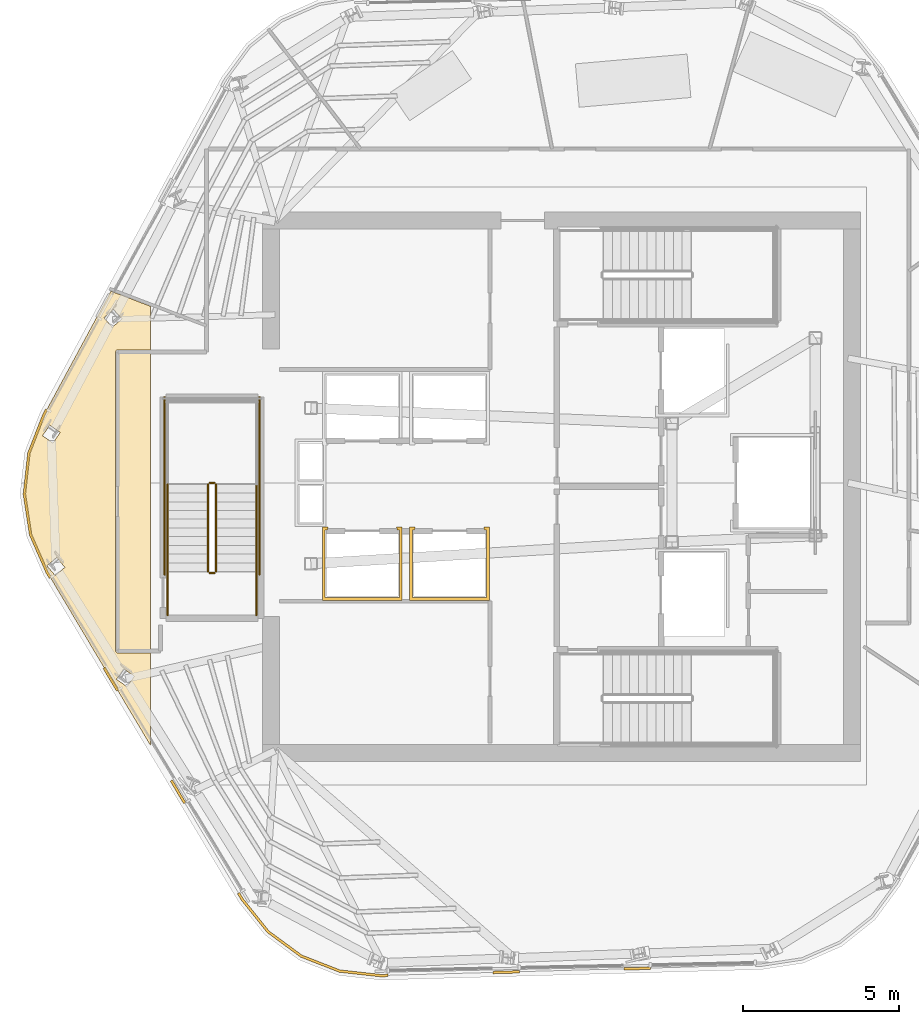
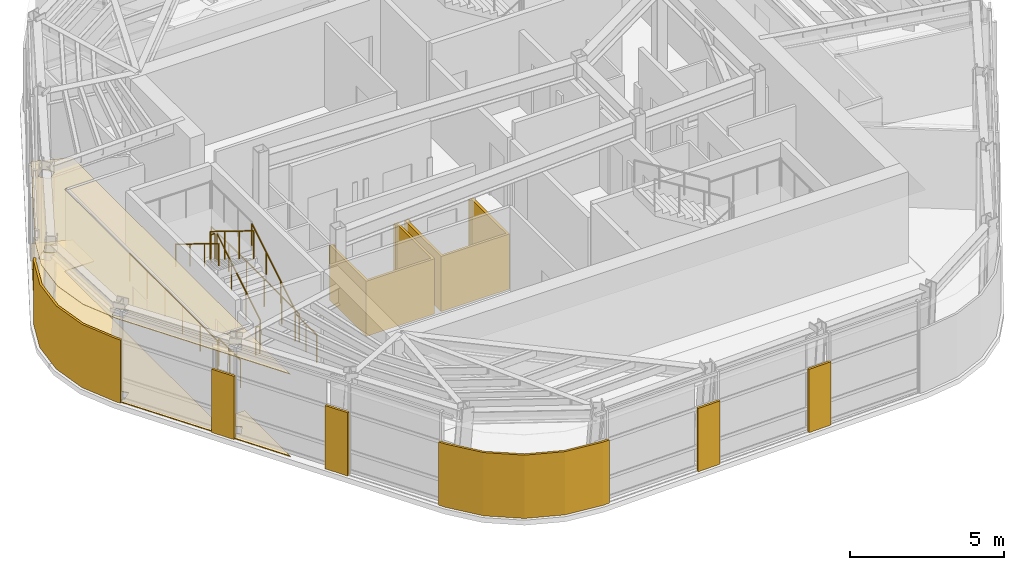
# One storey, part 9 of 13: 11 coverings, 10 railings.
"""IFC4 building model written with IfcOpenShell, lengths in metres."""

from ifc_helpers import new_model, si_unit, direction, frame, origin, origin_2d, place, context, subcontext, project, spatial, polyline, circle, outline, extrude, material, layer, layer_set, type_object, element, save


model = new_model("IFC4")

# Units and contexts
model_context = context("Model", 3, precision=1e-05, world=origin(), true_north=direction((0.0, 1.0)))
body_context = subcontext(model_context, "Body", "Model", "MODEL_VIEW")
ifc_project = project(units=[si_unit("LENGTHUNIT", "METRE"), si_unit("AREAUNIT", "SQUARE_METRE"), si_unit("VOLUMEUNIT", "CUBIC_METRE"), si_unit("PLANEANGLEUNIT", "RADIAN"), si_unit("MASSUNIT", "GRAM", prefix="KILO")], contexts=[model_context])

# Site, building, storey
site_placement = place(None, origin())
site = spatial("IfcSite", under=ifc_project, at=site_placement, CompositionType="ELEMENT")
building_placement = place(site_placement, origin())
building = spatial("IfcBuilding", under=site, at=building_placement, Name="Valkerne Bourse Tower", CompositionType="ELEMENT")
storey_placement = place(building_placement, frame((0.0, 0.0, 288.800048828125)))
storey = spatial("IfcBuildingStorey", under=building, at=storey_placement, Name="L73", CompositionType="ELEMENT", Elevation=288.800048828125)

# Coverings
ifc_material_1 = material(Name="Mineral Fiber Acoustic Ceiling Tile", Category="acoustic")
ifc_layer_1 = layer(ifc_material_1, 0.02490234375)
ifc_layer_set_1 = layer_set([ifc_layer_1], Name="Mineral Fiber Acoustic Ceiling Tile")
covering_type_1 = type_object("IfcCoveringType", Name="COV-CEIL-ACT", PredefinedType="CEILING", material=ifc_layer_set_1)
covering_1_placement = place(storey_placement, frame((0.0, 0.0, 3.25)))
element("IfcCovering", 1, at=covering_1_placement, inside=storey, type_object=covering_type_1, Name="L73 Suspended Ceiling 10", PredefinedType="CEILING", context=body_context, shape_type="SweptSolid", body=[
    extrude(outline(polyline([(30.28759765625, 24.116943359375), (29.753173828125, 25.334228515625), (29.553466796875, 26.638671875), (29.6982421875, 27.950439453125), (30.18115234375, 29.18896484375), (32.327392578125, 33.15478515625), (33.60009765625, 32.668701171875), (33.60009765625, 31.26904296875), (32.54931640625, 31.26904296875), (32.50830078125, 31.25537109375), (32.483154296875, 31.217529296875), (32.483154296875, 21.58251953125), (32.50830078125, 21.544921875), (32.546630859375, 21.531005859375), (33.60009765625, 21.531005859375), (33.60009765625, 18.56494140625), (30.28759765625, 24.116943359375)]), holes=[polyline([(33.075927734375, 20.788330078125), (32.7412109375, 21.022705078125), (32.50732421875, 20.690185546875), (32.50830078125, 20.68798828125), (32.843017578125, 20.45361328125), (33.076904296875, 20.786376953125), (33.075927734375, 20.788330078125)]), polyline([(30.84912109375, 24.287841796875), (30.58447265625, 24.599365234375), (30.274169921875, 24.3369140625), (30.2744140625, 24.33447265625), (30.538818359375, 24.02294921875), (30.849365234375, 24.285400390625), (30.84912109375, 24.287841796875)]), polyline([(30.69873046875, 28.618408203125), (30.36376953125, 28.8486328125), (30.131591796875, 28.512451171875), (30.13134765625, 28.51025390625), (30.46630859375, 28.27978515625), (30.698486328125, 28.615966796875), (30.69873046875, 28.618408203125)]), polyline([(32.682373046875, 32.262451171875), (32.416748046875, 32.5703125), (32.106689453125, 32.30419921875), (32.106201171875, 32.302001953125), (32.37158203125, 31.994140625), (32.681396484375, 32.260498046875), (32.682373046875, 32.262451171875)])]), origin(), (0.0, 0.0, 1.0), 0.02490234375),
])
ifc_material_2 = material(Name="Bronze Anodised Aluminium AA 6063-T6", Category="aluminium")
ifc_layer_2 = layer(ifc_material_2, 0.030029296875)
ifc_layer_set_2 = layer_set([ifc_layer_2], Name="Bronze Anodised Aluminium AA 6063-T6")
covering_type_2 = type_object("IfcCoveringType", Name="COV-CEIL-METAL", PredefinedType="CEILING", material=ifc_layer_set_2)
covering_2_placement = place(storey_placement, frame((0.0, 0.0, 3.25)))
element("IfcCovering", 2, at=covering_2_placement, inside=storey, type_object=covering_type_2, Name="L73 Suspended Ceiling 02", PredefinedType="CEILING", context=body_context, shape_type="SweptSolid", body=[
    extrude(outline(polyline([(32.553955078125, 21.60400390625), (32.553955078125, 31.196044921875), (33.60009765625, 31.196044921875), (33.60009765625, 21.60400390625), (32.553955078125, 21.60400390625)])), origin(), (0.0, 0.0, 1.0), 0.02490234375),
])
ifc_layer_3 = layer(ifc_material_2, 0.06005859375)
ifc_layer_set_3 = layer_set([ifc_layer_3], Name="Bronze Anodised Aluminium AA 6063-T6")
covering_type_3 = type_object("IfcCoveringType", Name="COV-CRN-ALUM", PredefinedType="CLADDING", material=ifc_layer_set_3)
covering_3_placement = place(storey_placement, origin())
element("IfcCovering", 3, at=covering_3_placement, inside=storey, type_object=covering_type_3, Name="L73 Wind-Shaped Corner Aluminium Cladding 05", PredefinedType="CLADDING", context=body_context, shape_type="SweptSolid", body=[
    extrude(outline(polyline([(48.814208984375, 11.347900390625), (48.8125, 11.427978515625), (49.652099609375, 11.451171875), (49.65380859375, 11.37109375), (48.814208984375, 11.347900390625)])), origin(), (0.0, 0.0, 1.0), 2.5),
])
covering_4_placement = place(storey_placement, origin())
element("IfcCovering", 4, at=covering_4_placement, inside=storey, type_object=covering_type_3, Name="L73 Wind-Shaped Corner Aluminium Cladding 06", PredefinedType="CLADDING", context=body_context, shape_type="SweptSolid", body=[
    extrude(outline(polyline([(44.603759765625, 11.23193359375), (44.60205078125, 11.31201171875), (45.44189453125, 11.335205078125), (45.443603515625, 11.255126953125), (44.603759765625, 11.23193359375)])), origin(), (0.0, 0.0, 1.0), 2.5),
])
covering_5_placement = place(storey_placement, origin())
element("IfcCovering", 5, at=covering_5_placement, inside=storey, type_object=covering_type_3, Name="L73 Wind-Shaped Corner Aluminium Cladding 07", PredefinedType="CLADDING", context=body_context, shape_type="SweptSolid", body=[
    extrude(outline(polyline([(40.992919921875, 11.132568359375), (39.66357421875, 11.279296875), (38.42333984375, 11.7626953125), (37.3505859375, 12.55078125), (36.51416015625, 13.594482421875), (36.39111328125, 13.80078125), (36.459716796875, 13.84228515625), (36.580078125, 13.640380859375), (37.406494140625, 12.60888671875), (38.462158203125, 11.83349609375), (39.6826171875, 11.357666015625), (40.99609375, 11.212646484375), (41.231201171875, 11.218994140625), (41.23291015625, 11.13916015625), (40.992919921875, 11.132568359375)])), origin(), (0.0, 0.0, 1.0), 2.5),
])
covering_6_placement = place(storey_placement, origin())
element("IfcCovering", 6, at=covering_6_placement, inside=storey, type_object=covering_type_3, Name="L73 Wind-Shaped Corner Aluminium Cladding 08", PredefinedType="CLADDING", context=body_context, shape_type="SweptSolid", body=[
    extrude(outline(polyline([(34.233154296875, 17.41796875), (34.301513671875, 17.45947265625), (34.73193359375, 16.738037109375), (34.66357421875, 16.69677734375), (34.233154296875, 17.41796875)])), origin(), (0.0, 0.0, 1.0), 2.5),
])
covering_7_placement = place(storey_placement, origin())
element("IfcCovering", 7, at=covering_7_placement, inside=storey, type_object=covering_type_3, Name="L73 Wind-Shaped Corner Aluminium Cladding 09", PredefinedType="CLADDING", context=body_context, shape_type="SweptSolid", body=[
    extrude(outline(polyline([(32.074951171875, 21.03515625), (32.143310546875, 21.07666015625), (32.57373046875, 20.355224609375), (32.50537109375, 20.31396484375), (32.074951171875, 21.03515625)])), origin(), (0.0, 0.0, 1.0), 2.5),
])
covering_8_placement = place(storey_placement, origin())
element("IfcCovering", 8, at=covering_8_placement, inside=storey, type_object=covering_type_3, Name="L73 Wind-Shaped Corner Aluminium Cladding 10", PredefinedType="CLADDING", context=body_context, shape_type="SweptSolid", body=[
    extrude(outline(polyline([(30.248291015625, 24.0966796875), (29.71044921875, 25.322021484375), (29.509033203125, 26.6376953125), (29.6552734375, 27.9609375), (30.14111328125, 29.20751953125), (30.23291015625, 29.377197265625), (30.302978515625, 29.338623046875), (30.2138671875, 29.173828125), (29.7333984375, 27.941650390625), (29.58984375, 26.639404296875), (29.787841796875, 25.344482421875), (30.319580078125, 24.133544921875), (30.41552734375, 23.972412109375), (30.34716796875, 23.93115234375), (30.248291015625, 24.0966796875)])), origin(), (0.0, 0.0, 1.0), 2.5),
])
ifc_material_3 = material(Name="Polished Granite Stone", Category="masonry")
ifc_layer_4 = layer(ifc_material_3, 0.030029296875)
ifc_layer_set_4 = layer_set([ifc_layer_4], Name="Polished Granite Stone")
covering_type_4 = type_object("IfcCoveringType", Name="COV-FLR-TERRAZZO", PredefinedType="FLOORING", material=ifc_layer_set_4)
covering_9_placement = place(storey_placement, origin())
element("IfcCovering", 9, at=covering_9_placement, inside=storey, type_object=covering_type_4, Name="L73 Floor Finish 10", PredefinedType="FLOORING", context=body_context, shape_type="SweptSolid", body=[
    extrude(outline(polyline([(30.28759765625, 24.116943359375), (29.753173828125, 25.334228515625), (29.553466796875, 26.638671875), (29.6982421875, 27.950439453125), (30.18115234375, 29.18896484375), (32.327392578125, 33.15478515625), (33.60009765625, 32.668701171875), (33.60009765625, 31.26904296875), (32.54931640625, 31.26904296875), (32.50830078125, 31.25537109375), (32.483154296875, 31.217529296875), (32.483154296875, 21.58251953125), (32.50830078125, 21.544921875), (32.546630859375, 21.531005859375), (33.60009765625, 21.531005859375), (33.60009765625, 18.56494140625), (30.28759765625, 24.116943359375)]), holes=[polyline([(33.075927734375, 20.788330078125), (32.7412109375, 21.022705078125), (32.50732421875, 20.690185546875), (32.50830078125, 20.68798828125), (32.843017578125, 20.45361328125), (33.076904296875, 20.786376953125), (33.075927734375, 20.788330078125)]), polyline([(30.84912109375, 24.287841796875), (30.58447265625, 24.599365234375), (30.274169921875, 24.3369140625), (30.2744140625, 24.33447265625), (30.538818359375, 24.02294921875), (30.849365234375, 24.285400390625), (30.84912109375, 24.287841796875)]), polyline([(30.69873046875, 28.618408203125), (30.36376953125, 28.8486328125), (30.131591796875, 28.512451171875), (30.13134765625, 28.51025390625), (30.46630859375, 28.27978515625), (30.698486328125, 28.615966796875), (30.69873046875, 28.618408203125)]), polyline([(32.682373046875, 32.262451171875), (32.416748046875, 32.5703125), (32.106689453125, 32.30419921875), (32.106201171875, 32.302001953125), (32.37158203125, 31.994140625), (32.681396484375, 32.260498046875), (32.682373046875, 32.262451171875)])]), origin(), (0.0, 0.0, 1.0), 0.030029296875),
])
ifc_material_4 = material(Name="Gypsum Shaftwall Liner Board", Category="gypsum")
ifc_layer_5 = layer(ifc_material_4, 0.080078125)
ifc_layer_set_5 = layer_set([ifc_layer_5], Name="Gypsum Shaftwall Liner Board")
covering_type_5 = type_object("IfcCoveringType", Name="COV-SHF-CLAD", PredefinedType="CLADDING", material=ifc_layer_set_5)
covering_10_placement = place(storey_placement, origin())
element("IfcCovering", 10, at=covering_10_placement, inside=storey, type_object=covering_type_5, Name="L73 Hoistway & Riser Shaftwall Liner 02", PredefinedType="CLADDING", context=body_context, shape_type="SweptSolid", body=[
    extrude(outline(polyline([(39.29931640625, 25.580078125), (39.28857421875, 25.537841796875), (39.2822265625, 25.494140625), (39.281982421875, 25.489990234375), (39.2099609375, 25.489990234375), (39.2099609375, 23.31005859375), (41.590087890625, 23.31005859375), (41.590087890625, 25.489990234375), (41.51806640625, 25.489990234375), (41.517822265625, 25.494140625), (41.511474609375, 25.537841796875), (41.500732421875, 25.580078125), (41.679931640625, 25.580078125), (41.679931640625, 23.219970703125), (39.1201171875, 23.219970703125), (39.1201171875, 25.580078125), (39.29931640625, 25.580078125)])), origin(), (0.0, 0.0, 1.0), 2.179931640625),
])
covering_11_placement = place(storey_placement, origin())
element("IfcCovering", 11, at=covering_11_placement, inside=storey, type_object=covering_type_5, Name="L73 Hoistway & Riser Shaftwall Liner 03", PredefinedType="CLADDING", context=body_context, shape_type="SweptSolid", body=[
    extrude(outline(polyline([(42.09912109375, 25.580078125), (42.088623046875, 25.537841796875), (42.082275390625, 25.494140625), (42.08203125, 25.489990234375), (42.010009765625, 25.489990234375), (42.010009765625, 23.31005859375), (44.389892578125, 23.31005859375), (44.389892578125, 25.489990234375), (44.318115234375, 25.489990234375), (44.31787109375, 25.494140625), (44.311279296875, 25.537841796875), (44.30078125, 25.580078125), (44.47998046875, 25.580078125), (44.47998046875, 23.219970703125), (41.919921875, 23.219970703125), (41.919921875, 25.580078125), (42.09912109375, 25.580078125)])), origin(), (0.0, 0.0, 1.0), 2.179931640625),
])

# Railings
ifc_material_5 = material(Name="Galvanised Painted Steel", Category="steel")
railing_type_1 = type_object("IfcRailingType", Name="RLG-ST-GUARD-1120", PredefinedType="GUARDRAIL", material=ifc_material_5)
railing_1_placement = place(storey_placement, frame((35.699951171875, 24.14990234375, 0.172607421875)))
element("IfcRailing", 12, at=railing_1_placement, inside=storey, type_object=railing_type_1, Name="L73 ST-3 stair guard 1", PredefinedType="GUARDRAIL", context=body_context, shape_type="SweptSolid", body=[
    extrude(circle(Radius=0.02392578125, at=origin_2d()), frame((0.0, 0.0, 1.09619140625), z_axis=(0.0, 0.851089632645, 0.525020415988), x_axis=(-1.0, 0.0, 0.0)), (0.0, 0.0, 1.0), 3.2900390625),
    extrude(circle(Radius=0.02099609375, at=origin_2d()), origin(), (0.0, 0.0, 1.0), 1.072021484375),
    extrude(circle(Radius=0.02099609375, at=origin_2d()), frame((0.0, 0.933349609375, 0.57568359375)), (0.0, 0.0, 1.0), 1.072021484375),
    extrude(circle(Radius=0.02099609375, at=origin_2d()), frame((0.0, 1.86669921875, 1.151611328125)), (0.0, 0.0, 1.0), 1.072021484375),
    extrude(circle(Radius=0.02099609375, at=origin_2d()), frame((0.0, 2.800048828125, 1.727294921875)), (0.0, 0.0, 1.0), 1.072021484375),
])
railing_2_placement = place(storey_placement, frame((35.64990234375, 27.0, 1.89990234375)))
element("IfcRailing", 13, at=railing_2_placement, inside=storey, type_object=railing_type_1, Name="L73 ST-3 stair guard 2", PredefinedType="GUARDRAIL", context=body_context, shape_type="SweptSolid", body=[
    extrude(circle(Radius=0.02392578125, at=origin_2d()), frame((0.0, 0.0, 1.09619140625), z_axis=(-1.0, 0.0, 0.0), x_axis=(0.0, -1.0, 0.0)), (0.0, 0.0, 1.0), 0.14990234375),
    extrude(circle(Radius=0.02099609375, at=origin_2d()), origin(), (0.0, 0.0, 1.0), 1.072021484375),
    extrude(circle(Radius=0.02099609375, at=origin_2d()), frame((-0.14990234375, 0.0, 0.0)), (0.0, 0.0, 1.0), 1.072021484375),
])
railing_3_placement = place(storey_placement, frame((35.449951171875, 26.949951171875, 2.07275390625)))
element("IfcRailing", 14, at=railing_3_placement, inside=storey, type_object=railing_type_1, Name="L73 ST-3 stair guard 6", PredefinedType="GUARDRAIL", context=body_context, shape_type="SweptSolid", body=[
    extrude(circle(Radius=0.02392578125, at=origin_2d()), frame((0.0, 0.0, 1.09619140625), z_axis=(0.0, -0.851089632645, 0.525020415988), x_axis=(1.0, 0.0, 0.0)), (0.0, 0.0, 1.0), 3.2900390625),
    extrude(circle(Radius=0.02099609375, at=origin_2d()), origin(), (0.0, 0.0, 1.0), 1.072021484375),
    extrude(circle(Radius=0.02099609375, at=origin_2d()), frame((0.0, -0.933349609375, 0.57568359375)), (0.0, 0.0, 1.0), 1.072021484375),
    extrude(circle(Radius=0.02099609375, at=origin_2d()), frame((0.0, -1.86669921875, 1.151611328125)), (0.0, 0.0, 1.0), 1.072021484375),
    extrude(circle(Radius=0.02099609375, at=origin_2d()), frame((0.0, -2.800048828125, 1.727294921875)), (0.0, 0.0, 1.0), 1.072021484375),
])
railing_4_placement = place(storey_placement, frame((35.64990234375, 24.10009765625, 0.0)))
element("IfcRailing", 15, at=railing_4_placement, inside=storey, type_object=railing_type_1, Name="L73 ST-3 stair guard 7", PredefinedType="GUARDRAIL", context=body_context, shape_type="SweptSolid", body=[
    extrude(circle(Radius=0.02392578125, at=origin_2d()), frame((0.0, 0.0, 1.09619140625), z_axis=(-1.0, 0.0, 0.0), x_axis=(0.0, -1.0, 0.0)), (0.0, 0.0, 1.0), 0.14990234375),
    extrude(circle(Radius=0.02099609375, at=origin_2d()), origin(), (0.0, 0.0, 1.0), 1.072021484375),
    extrude(circle(Radius=0.02099609375, at=origin_2d()), frame((-0.14990234375, 0.0, 0.0)), (0.0, 0.0, 1.0), 1.072021484375),
])
for number, where, name in (
    (16, (37.0, 22.75, 0.0), "L73 ST-3 stair guard 8"),
    (17, (34.14990234375, 22.75, 0.0), "L73 ST-3 stair guard 9"),
):
    element("IfcRailing", number, at=place(storey_placement, frame(where)), inside=storey, type_object=railing_type_1, Name=name, PredefinedType="GUARDRAIL", context=body_context, shape_type="SweptSolid", body=[
        extrude(circle(Radius=0.02392578125, at=origin_2d()), frame((0.0, 0.0, 1.09619140625), z_axis=(0.0, 1.0, 0.0), x_axis=(-1.0, 0.0, 0.0)), (0.0, 0.0, 1.0), 1.39990234375),
        extrude(circle(Radius=0.02099609375, at=origin_2d()), origin(), (0.0, 0.0, 1.0), 1.072021484375),
        extrude(circle(Radius=0.02099609375, at=origin_2d()), frame((0.0, 0.699951171875, 0.0)), (0.0, 0.0, 1.0), 1.072021484375),
        extrude(circle(Radius=0.02099609375, at=origin_2d()), frame((0.0, 1.39990234375, 0.0)), (0.0, 0.0, 1.0), 1.072021484375),
    ])
for number, where, name in (
    (18, (37.10009765625, 24.050048828125, 0.0), "L73 ST-3 stair guard 10"),
    (19, (34.050048828125, 24.050048828125, 0.0), "L73 ST-3 stair guard 11"),
):
    element("IfcRailing", number, at=place(storey_placement, frame(where)), inside=storey, type_object=railing_type_1, Name=name, PredefinedType="GUARDRAIL", context=body_context, shape_type="SweptSolid", body=[
        extrude(circle(Radius=0.02392578125, at=origin_2d()), frame((0.0, 0.0, 1.09619140625), z_axis=(0.0, 1.0, 0.0), x_axis=(-1.0, 0.0, 0.0)), (0.0, 0.0, 1.0), 5.699951171875),
        extrude(circle(Radius=0.02099609375, at=origin_2d()), origin(), (0.0, 0.0, 1.0), 1.072021484375),
        extrude(circle(Radius=0.02099609375, at=origin_2d()), frame((0.0, 1.139892578125, 0.0)), (0.0, 0.0, 1.0), 1.072021484375),
        extrude(circle(Radius=0.02099609375, at=origin_2d()), frame((0.0, 2.280029296875, 0.0)), (0.0, 0.0, 1.0), 1.072021484375),
        extrude(circle(Radius=0.02099609375, at=origin_2d()), frame((0.0, 3.419921875, 0.0)), (0.0, 0.0, 1.0), 1.072021484375),
        extrude(circle(Radius=0.02099609375, at=origin_2d()), frame((0.0, 4.56005859375, 0.0)), (0.0, 0.0, 1.0), 1.072021484375),
        extrude(circle(Radius=0.02099609375, at=origin_2d()), frame((0.0, 5.699951171875, 0.0)), (0.0, 0.0, 1.0), 1.072021484375),
    ])
ifc_material_6 = material(Name="Stainless Steel AISI 316", Category="steel")
railing_type_2 = type_object("IfcRailingType", Name="RLG-ST-HANDRAIL-900", PredefinedType="HANDRAIL", material=ifc_material_6)
railing_5_placement = place(storey_placement, frame((37.0, 24.14990234375, 0.345458984375)))
element("IfcRailing", 20, at=railing_5_placement, inside=storey, type_object=railing_type_2, Name="L73 ST-3 stair handrail 1", PredefinedType="HANDRAIL", context=body_context, shape_type="SweptSolid", body=[
    extrude(circle(Radius=0.02392578125, at=origin_2d()), frame((0.0, 0.0, 0.8759765625), z_axis=(0.0, 0.851089632645, 0.525020415988), x_axis=(-1.0, 0.0, 0.0)), (0.0, 0.0, 1.0), 3.2900390625),
    extrude(circle(Radius=0.02099609375, at=origin_2d()), origin(), (0.0, 0.0, 1.0), 0.851806640625),
    extrude(circle(Radius=0.02099609375, at=origin_2d()), frame((0.0, 0.933349609375, 0.57568359375)), (0.0, 0.0, 1.0), 0.851806640625),
    extrude(circle(Radius=0.02099609375, at=origin_2d()), frame((0.0, 1.86669921875, 1.151611328125)), (0.0, 0.0, 1.0), 0.851806640625),
    extrude(circle(Radius=0.02099609375, at=origin_2d()), frame((0.0, 2.800048828125, 1.727294921875)), (0.0, 0.0, 1.0), 0.851806640625),
])
railing_6_placement = place(storey_placement, frame((34.14990234375, 26.949951171875, 2.245361328125)))
element("IfcRailing", 21, at=railing_6_placement, inside=storey, type_object=railing_type_2, Name="L73 ST-3 stair handrail 2", PredefinedType="HANDRAIL", context=body_context, shape_type="SweptSolid", body=[
    extrude(circle(Radius=0.02392578125, at=origin_2d()), frame((0.0, 0.0, 0.8759765625), z_axis=(0.0, -0.851089632645, 0.525020415988), x_axis=(1.0, 0.0, 0.0)), (0.0, 0.0, 1.0), 3.2900390625),
    extrude(circle(Radius=0.02099609375, at=origin_2d()), origin(), (0.0, 0.0, 1.0), 0.851806640625),
    extrude(circle(Radius=0.02099609375, at=origin_2d()), frame((0.0, -0.933349609375, 0.57568359375)), (0.0, 0.0, 1.0), 0.851806640625),
    extrude(circle(Radius=0.02099609375, at=origin_2d()), frame((0.0, -1.86669921875, 1.151611328125)), (0.0, 0.0, 1.0), 0.851806640625),
    extrude(circle(Radius=0.02099609375, at=origin_2d()), frame((0.0, -2.800048828125, 1.727294921875)), (0.0, 0.0, 1.0), 0.851806640625),
])

save(model, "model.ifc")
